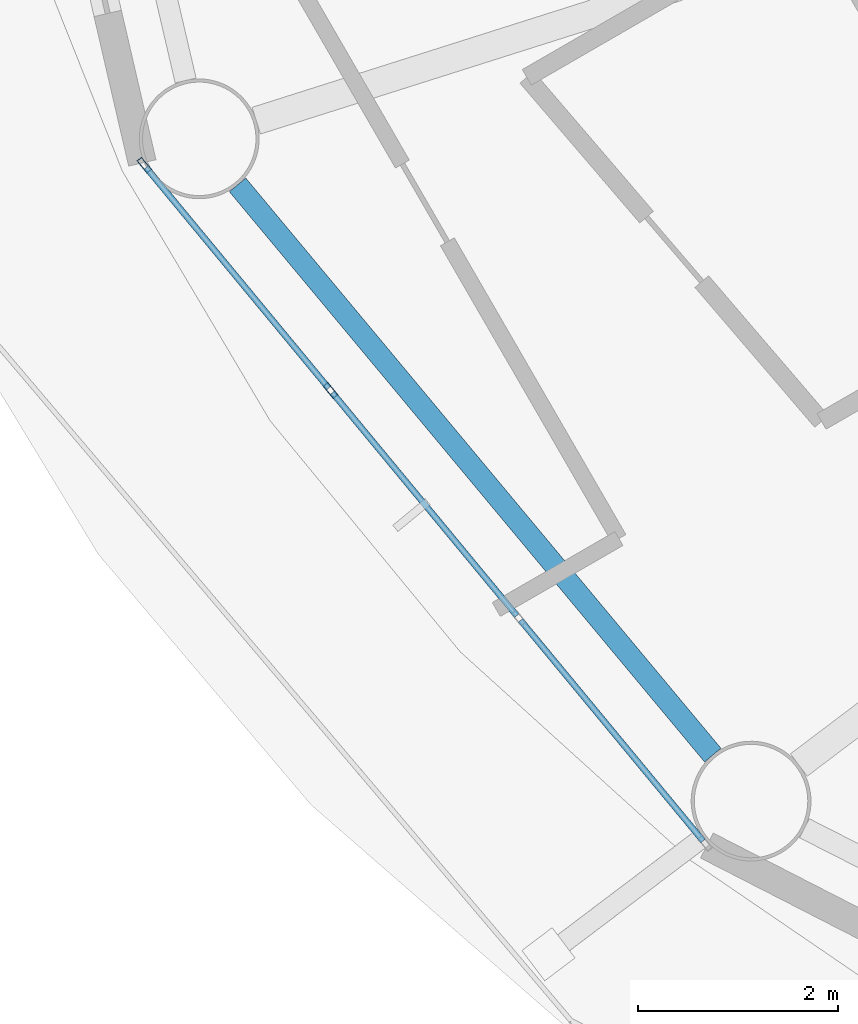
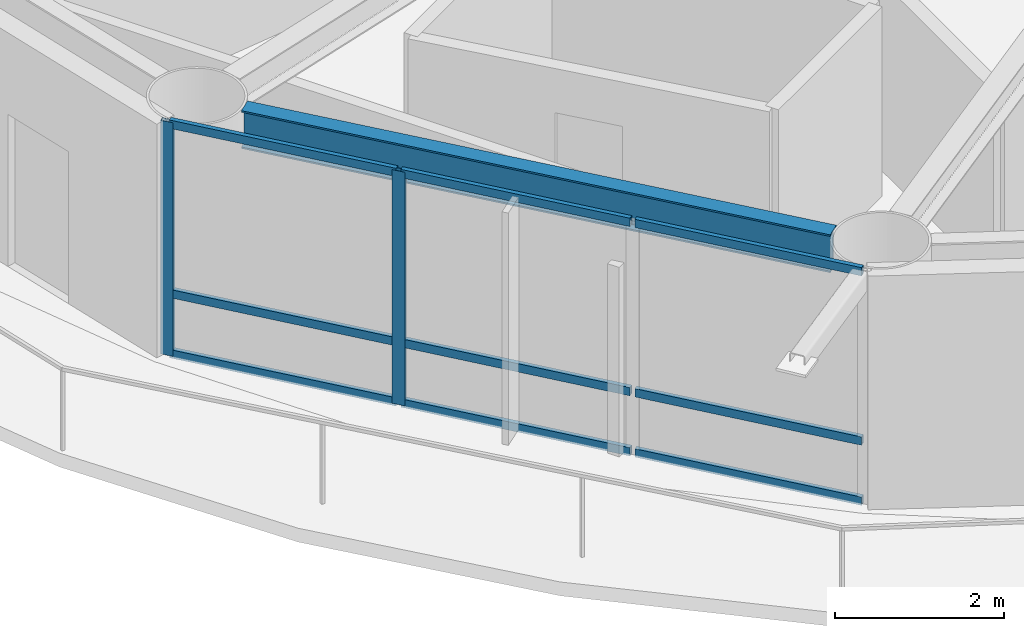
# One storey, part 3 of 28: 11 members, 1 beam, 1 element without a shape of its own.
"""IFC4 building model written with IfcOpenShell, lengths in metres."""

import ifcopenshell
import ifcopenshell.guid

model = None  # the IFC model being written
_history = None  # IfcOwnerHistory: only IFC2X3 demands one
_inside = {}  # id of a spatial element -> (the spatial element, [elements in it])
_under = {}  # id of a project, library or spatial element -> (it, [spatial elements below it])
_declared = {}  # id of a project -> (the project, [libraries it declares])
_typed = {}  # id of a type object -> (the type object, [elements of that type])
_made_of = {}  # id of a material, layer set ... -> (it, [elements and type objects made of it])


def new_model(schema):
    """Start an empty IFC model of exactly this schema.

    Asked for "IFC4X3", IfcOpenShell would pick the latest addendum, in which some entities
    have other attributes; the version numbers below select the first issue.
    IFC2X3 requires an IfcOwnerHistory on every rooted entity: one is made here for all.
    """
    global model, _history
    if schema == "IFC4X3":
        model = ifcopenshell.file(schema_version=(4, 3, 0, 0))
    else:
        model = ifcopenshell.file(schema=schema)
    _inside.clear()
    _under.clear()
    _declared.clear()
    _typed.clear()
    _made_of.clear()
    _history = None
    if model.schema == "IFC2X3":
        org = make("IfcOrganization", Name="unknown")
        user = make(
            "IfcPersonAndOrganization",
            ThePerson=make("IfcPerson", FamilyName="unknown"),
            TheOrganization=org,
        )
        app = make(
            "IfcApplication",
            ApplicationDeveloper=org,
            Version="unknown",
            ApplicationFullName="unknown",
            ApplicationIdentifier="unknown",
        )
        _history = make(
            "IfcOwnerHistory",
            OwningUser=user,
            OwningApplication=app,
            ChangeAction="ADDED",
            CreationDate=0,
        )
    return model


def make(cls, **values):
    """One entity of the class cls with the attributes given. An attribute that is None is left unset."""
    return model.create_entity(
        cls, **{name: value for name, value in values.items() if value is not None}
    )


def rooted(cls, **values):
    """An entity with a GlobalId (a new one), such as an element, a storey or a relation."""
    return make(cls, GlobalId=ifcopenshell.guid.new(), OwnerHistory=_history, **values)


def si_unit(unit_type, name, prefix=None):
    """IfcSIUnit, for example si_unit("LENGTHUNIT", "METRE", prefix="MILLI")."""
    return make("IfcSIUnit", UnitType=unit_type, Prefix=prefix, Name=name)


def assignment(units):
    """IfcUnitAssignment: the units of a project."""
    return None if units is None else make("IfcUnitAssignment", Units=units)


def point(xyz):
    """IfcCartesianPoint."""
    return None if xyz is None else make("IfcCartesianPoint", Coordinates=xyz)


def direction(xyz):
    """IfcDirection."""
    return None if xyz is None else make("IfcDirection", DirectionRatios=xyz)


def frame(location, z_axis=None, x_axis=None):
    """IfcAxis2Placement3D, a coordinate frame: its origin and axes. An axis left out is left unset."""
    return make(
        "IfcAxis2Placement3D",
        Location=point(location),
        Axis=direction(z_axis),
        RefDirection=direction(x_axis),
    )


def frame_2d(location, x_axis=None):
    """IfcAxis2Placement2D, a coordinate frame in the plane: its origin and x axis."""
    return make(
        "IfcAxis2Placement2D", Location=point(location), RefDirection=direction(x_axis)
    )


def origin():
    """The frame at (0, 0, 0) with its axes left unset."""
    return frame((0.0, 0.0, 0.0))


def origin_2d():
    """The frame at (0, 0) in the plane with its x axis left unset."""
    return frame_2d((0.0, 0.0))


def place(relative_to, where):
    """IfcLocalPlacement: puts the frame where relative to a parent placement (None: the world)."""
    return make(
        "IfcLocalPlacement", PlacementRelTo=relative_to, RelativePlacement=where
    )


def context(
    kind, dimensions, precision=None, world=None, true_north=None, identifier=None
):
    """IfcGeometricRepresentationContext, for example the 3D "Model" context."""
    return make(
        "IfcGeometricRepresentationContext",
        ContextIdentifier=identifier,
        ContextType=kind,
        CoordinateSpaceDimension=dimensions,
        Precision=precision,
        WorldCoordinateSystem=world,
        TrueNorth=true_north,
    )


def subcontext(parent, identifier, kind, view, scale=None):
    """IfcGeometricRepresentationSubContext, for example "Body" below "Model"."""
    return make(
        "IfcGeometricRepresentationSubContext",
        ContextIdentifier=identifier,
        ContextType=kind,
        ParentContext=parent,
        TargetScale=scale,
        TargetView=view,
    )


def project(units=None, contexts=None):
    """IfcProject with its units and contexts."""
    return rooted(
        "IfcProject",
        Name="project",
        RepresentationContexts=contexts,
        UnitsInContext=assignment(units),
    )


def spatial(cls, under=None, at=None, **own):
    """A site, building, storey or space (cls), placed at a placement, below another one or the project."""
    s = rooted(cls, ObjectPlacement=at, **own)
    if under is not None:
        _under.setdefault(under.id(), (under, []))[1].append(s)
    return s


def profile(cls, at=None, kind="AREA", **sizes):
    """A parametric profile (cls). Its sizes go by their IFC names, for example OverallWidth=200.0."""
    return make(cls, ProfileType=kind, Position=at, **sizes)


def hollow_rectangle(**sizes):
    """IfcRectangleHollowProfileDef."""
    return profile("IfcRectangleHollowProfileDef", **sizes)


def i_section(**sizes):
    """IfcIShapeProfileDef."""
    return profile("IfcIShapeProfileDef", **sizes)


def extrude(swept, where, along, depth):
    """IfcExtrudedAreaSolid: the profile swept, set in the frame where, extruded along a direction by depth."""
    return make(
        "IfcExtrudedAreaSolid",
        SweptArea=swept,
        Position=where,
        ExtrudedDirection=direction(along),
        Depth=depth,
    )


def shape(context_of_items, identifier, shape_type, items):
    """IfcShapeRepresentation: the items that make up one representation, for example the "Body"."""
    return make(
        "IfcShapeRepresentation",
        ContextOfItems=context_of_items,
        RepresentationIdentifier=identifier,
        RepresentationType=shape_type,
        Items=items,
    )


def material(Name=None, Category=None):
    """IfcMaterial."""
    return make("IfcMaterial", Name=Name, Category=Category)


def layer(
    of_material, thickness, ventilated=None, Name=None, Category=None, Priority=None
):
    """IfcMaterialLayer: one layer of a wall or slab, of a material (None: an air gap)."""
    return make(
        "IfcMaterialLayer",
        Material=of_material,
        LayerThickness=thickness,
        IsVentilated=ventilated,
        Name=Name,
        Category=Category,
        Priority=Priority,
    )


def layer_set(layers, Name=None):
    """IfcMaterialLayerSet."""
    return make("IfcMaterialLayerSet", MaterialLayers=layers, LayerSetName=Name)


def material_profile(
    of_material, cross_section, Name=None, Category=None, Priority=None
):
    """IfcMaterialProfile: a cross section and its material."""
    return make(
        "IfcMaterialProfile",
        Name=Name,
        Material=of_material,
        Profile=cross_section,
        Priority=Priority,
        Category=Category,
    )


def profile_set(profiles, Name=None, composite=None):
    """IfcMaterialProfileSet."""
    return make(
        "IfcMaterialProfileSet",
        Name=Name,
        MaterialProfiles=profiles,
        CompositeProfile=composite,
    )


def made_of(thing, what):
    """Note that an element or type object is made of a material, layer set ...; save() writes the relation."""
    if what is not None:
        _made_of.setdefault(what.id(), (what, []))[1].append(thing)
    return thing


def type_object(cls, material=None, **own):
    """A type object (cls), such as IfcWallType, which elements share."""
    return made_of(rooted(cls, **own), material)


def element(
    cls,
    number,
    at=None,
    inside=None,
    cuts=None,
    type_object=None,
    material=None,
    context=None,
    identifier="Body",
    shape_type=None,
    held_by="IfcProductDefinitionShape",
    body=None,
    shapes=None,
    **own,
):
    """One element of the class cls, such as IfcWall. Its Tag is "e" and its number.

    at: its placement. inside: the storey or other place that contains it. cuts: it is an
    opening in that element (IfcRelVoidsElement). A single representation is given by context,
    identifier, shape_type and body (its items); several are given by shapes. held_by: the class
    of the entity that holds the representations. save() writes the other relations.
    """
    e = rooted(cls, Tag="e%d" % number, ObjectPlacement=at, **own)
    if body is not None:
        shapes = [shape(context, identifier, shape_type, body)]
    if shapes is not None:
        e.Representation = make(held_by, Representations=shapes)
    if inside is not None:
        _inside.setdefault(inside.id(), (inside, []))[1].append(e)
    if cuts is not None:
        rooted(
            "IfcRelVoidsElement", RelatingBuildingElement=cuts, RelatedOpeningElement=e
        )
    if type_object is not None:
        _typed.setdefault(type_object.id(), (type_object, []))[1].append(e)
    return made_of(e, material)


def aggregate(whole, parts):
    """IfcRelAggregates: a whole, such as a stair, and the parts it consists of."""
    return rooted("IfcRelAggregates", RelatingObject=whole, RelatedObjects=parts)


def save(model, path):
    """Write the relations noted so far, then the file.

    IfcRelAggregates (storeys below a building ...), IfcRelContainedInSpatialStructure (elements
    in a storey), IfcRelDefinesByType, IfcRelAssociatesMaterial and IfcRelDeclares: one each for
    every whole, place, type object, material and project.
    """
    for whole, parts in _under.values():
        aggregate(whole, parts)
    for where, things in _inside.values():
        rooted(
            "IfcRelContainedInSpatialStructure",
            RelatedElements=things,
            RelatingStructure=where,
        )
    for kind, things in _typed.values():
        rooted("IfcRelDefinesByType", RelatedObjects=things, RelatingType=kind)
    for what, things in _made_of.values():
        rooted("IfcRelAssociatesMaterial", RelatedObjects=things, RelatingMaterial=what)
    for by, libraries in _declared.values():
        rooted("IfcRelDeclares", RelatingContext=by, RelatedDefinitions=libraries)
    model.write(path)


model = new_model("IFC4")

# Units and contexts
model_context = context("Model", 3, precision=1e-05, world=origin(), true_north=direction((0.0, 1.0)))
body_context = subcontext(model_context, "Body", "Model", "MODEL_VIEW")
ifc_project = project(units=[si_unit("LENGTHUNIT", "METRE"), si_unit("AREAUNIT", "SQUARE_METRE"), si_unit("VOLUMEUNIT", "CUBIC_METRE"), si_unit("PLANEANGLEUNIT", "RADIAN"), si_unit("MASSUNIT", "GRAM", prefix="KILO")], contexts=[model_context])

# Site, building, storey
site_placement = place(None, origin())
site = spatial("IfcSite", under=ifc_project, at=site_placement, CompositionType="ELEMENT")
building_placement = place(site_placement, origin())
building = spatial("IfcBuilding", under=site, at=building_placement, Name="Sarneth Arch Tower", CompositionType="ELEMENT")
storey_placement = place(building_placement, frame((0.0, 0.0, 179.39990234375)))
storey = spatial("IfcBuildingStorey", under=building, at=storey_placement, Name="L45", CompositionType="ELEMENT", Elevation=179.39990234375)

# Beam
ifc_material_1 = material(Name="Steel S355", Category="steel")
ifc_material_profile_1 = material_profile(ifc_material_1, i_section(OverallWidth=0.214111328125, OverallDepth=0.549072265625, WebThickness=0.0146484375, FlangeThickness=0.023681640625, FilletRadius=0.01806640625, at=origin_2d()), Name="W530x138")
ifc_profile_set_1 = profile_set([ifc_material_profile_1], Name="Steel S355")
beam_type = type_object("IfcBeamType", Name="BM-RAD-530A", PredefinedType="BEAM", material=ifc_profile_set_1)
beam_placement = place(storey_placement, frame((23.721923828125, 33.713134765625, 3.105712890625), z_axis=(0.640161793626, -0.768240117399, 0.0), x_axis=(0.768240117399, 0.640161793626, 0.0)))
element("IfcBeam", 1, at=beam_placement, inside=storey, type_object=beam_type, Name="L45 Perimeter spandrel beam 10", PredefinedType="BEAM", context=body_context, shape_type="SweptSolid", body=[
    extrude(i_section(OverallWidth=0.214111328125, OverallDepth=0.549072265625, WebThickness=0.0146484375, FlangeThickness=0.023681640625, FilletRadius=0.01806640625, at=origin_2d()), origin(), (0.0, 0.0, 1.0), 7.43603515625),
])

# Curtain wall, members
ifc_material_2 = material(Name="Anodised aluminium Type AA25 and solar-control low-e laminated IGU", Category="aluminium")
ifc_layer = layer(ifc_material_2, 0.169921875)
ifc_layer_set = layer_set([ifc_layer], Name="Anodised aluminium Type AA25 and solar-control low-e laminated IGU")
curtain_wall_type = type_object("IfcCurtainWallType", Name="CW-RES-MID", PredefinedType="NOTDEFINED", material=ifc_layer_set)
curtain_wall_placement = place(storey_placement, origin())
curtain_wall = element("IfcCurtainWall", 2, at=curtain_wall_placement, inside=storey, type_object=curtain_wall_type, Name="L45 Unitised curtain wall facet 10", PredefinedType="NOTDEFINED")
ifc_material_3 = material(Name="Anodised Aluminium 6063-T6", Category="aluminium")
ifc_material_profile_2 = material_profile(ifc_material_3, hollow_rectangle(XDim=0.06005859375, YDim=0.159912109375, WallThickness=0.00390625, at=origin_2d()), Name="AL-MULL-160x60x4")
ifc_profile_set_2 = profile_set([ifc_material_profile_2], Name="Anodised Aluminium 6063-T6")
member_type_1 = type_object("IfcMemberType", Name="CW-MULLION", PredefinedType="MULLION", material=ifc_profile_set_2)
member_1_placement = place(storey_placement, frame((22.786865234375, 33.909912109375, 0.0), z_axis=(0.0, 0.0, 1.0), x_axis=(0.770590741276, 0.637330298558, 0.0)))
member_1 = element("IfcMember", 3, at=member_1_placement, type_object=member_type_1, Name="CW-SYS-5 mullion 1", PredefinedType="MULLION", context=body_context, shape_type="SweptSolid", body=[
    extrude(hollow_rectangle(XDim=0.06005859375, YDim=0.159912109375, WallThickness=0.00390625, at=origin_2d()), origin(), (0.0, 0.0, 1.0), 3.380126953125),
])
member_2_placement = place(storey_placement, frame((24.653076171875, 31.6533203125, 0.0), z_axis=(0.0, 0.0, 1.0), x_axis=(0.770590741276, 0.637330298558, 0.0)))
member_2 = element("IfcMember", 4, at=member_2_placement, type_object=member_type_1, Name="CW-SYS-5 mullion 2", PredefinedType="MULLION", context=body_context, shape_type="SweptSolid", body=[
    extrude(hollow_rectangle(XDim=0.06005859375, YDim=0.159912109375, WallThickness=0.00390625, at=origin_2d()), origin(), (0.0, 0.0, 1.0), 3.380126953125),
])
ifc_material_4 = material(Name="Anodised Aluminium 6063-T6", Category="aluminium")
ifc_material_profile_3 = material_profile(ifc_material_4, hollow_rectangle(XDim=0.06005859375, YDim=0.1201171875, WallThickness=0.00390625, at=origin_2d()), Name="AL-TRAN-120x60x4")
ifc_profile_set_3 = profile_set([ifc_material_profile_3], Name="Anodised Aluminium 6063-T6")
member_type_2 = type_object("IfcMemberType", Name="CW-TRANSOM", PredefinedType="USERDEFINED", material=ifc_profile_set_3)
member_3_placement = place(storey_placement, frame((22.805908203125, 33.88671875, 0.030029296875), z_axis=(0.637358651504, -0.770567290607, 0.0), x_axis=(0.770567290607, 0.637358651504, 0.0)))
member_3 = element("IfcMember", 5, at=member_3_placement, type_object=member_type_2, Name="CW-SYS-5 transom 1.1", ObjectType="TRANSOM", PredefinedType="USERDEFINED", context=body_context, shape_type="SweptSolid", body=[
    extrude(hollow_rectangle(XDim=0.06005859375, YDim=0.1201171875, WallThickness=0.00390625, at=origin_2d()), origin(), (0.0, 0.0, 1.0), 2.8681640625),
])
member_4_placement = place(storey_placement, frame((22.805908203125, 33.88671875, 0.900146484375), z_axis=(0.637358651504, -0.770567290607, 0.0), x_axis=(0.770567290607, 0.637358651504, 0.0)))
member_4 = element("IfcMember", 6, at=member_4_placement, type_object=member_type_2, Name="CW-SYS-5 transom 1.2", ObjectType="TRANSOM", PredefinedType="USERDEFINED", context=body_context, shape_type="SweptSolid", body=[
    extrude(hollow_rectangle(XDim=0.06005859375, YDim=0.1201171875, WallThickness=0.00390625, at=origin_2d()), origin(), (0.0, 0.0, 1.0), 2.8681640625),
])
member_5_placement = place(storey_placement, frame((22.805908203125, 33.88671875, 3.35009765625), z_axis=(0.637358651504, -0.770567290607, 0.0), x_axis=(0.770567290607, 0.637358651504, 0.0)))
member_5 = element("IfcMember", 7, at=member_5_placement, type_object=member_type_2, Name="CW-SYS-5 transom 1.3", ObjectType="TRANSOM", PredefinedType="USERDEFINED", context=body_context, shape_type="SweptSolid", body=[
    extrude(hollow_rectangle(XDim=0.06005859375, YDim=0.1201171875, WallThickness=0.00390625, at=origin_2d()), origin(), (0.0, 0.0, 1.0), 2.8681640625),
])
member_6_placement = place(storey_placement, frame((24.672119140625, 31.63037109375, 0.030029296875), z_axis=(0.637329777791, -0.770591171985, 0.0), x_axis=(0.770591171985, 0.637329777791, 0.0)))
member_6 = element("IfcMember", 8, at=member_6_placement, type_object=member_type_2, Name="CW-SYS-5 transom 2.1", ObjectType="TRANSOM", PredefinedType="USERDEFINED", context=body_context, shape_type="SweptSolid", body=[
    extrude(hollow_rectangle(XDim=0.06005859375, YDim=0.1201171875, WallThickness=0.00390625, at=origin_2d()), origin(), (0.0, 0.0, 1.0), 2.898193359375),
])
member_7_placement = place(storey_placement, frame((24.672119140625, 31.63037109375, 0.900146484375), z_axis=(0.637329777791, -0.770591171985, 0.0), x_axis=(0.770591171985, 0.637329777791, 0.0)))
member_7 = element("IfcMember", 9, at=member_7_placement, type_object=member_type_2, Name="CW-SYS-5 transom 2.2", ObjectType="TRANSOM", PredefinedType="USERDEFINED", context=body_context, shape_type="SweptSolid", body=[
    extrude(hollow_rectangle(XDim=0.06005859375, YDim=0.1201171875, WallThickness=0.00390625, at=origin_2d()), origin(), (0.0, 0.0, 1.0), 2.898193359375),
])
member_8_placement = place(storey_placement, frame((24.672119140625, 31.63037109375, 3.35009765625), z_axis=(0.637329777791, -0.770591171985, 0.0), x_axis=(0.770591171985, 0.637329777791, 0.0)))
member_8 = element("IfcMember", 10, at=member_8_placement, type_object=member_type_2, Name="CW-SYS-5 transom 2.3", ObjectType="TRANSOM", PredefinedType="USERDEFINED", context=body_context, shape_type="SweptSolid", body=[
    extrude(hollow_rectangle(XDim=0.06005859375, YDim=0.1201171875, WallThickness=0.00390625, at=origin_2d()), origin(), (0.0, 0.0, 1.0), 2.898193359375),
])
member_9_placement = place(storey_placement, frame((26.5576171875, 29.3505859375, 0.030029296875), z_axis=(0.637358651504, -0.770567290607, 0.0), x_axis=(0.770567290607, 0.637358651504, 0.0)))
member_9 = element("IfcMember", 11, at=member_9_placement, type_object=member_type_2, Name="CW-SYS-5 transom 3.1", ObjectType="TRANSOM", PredefinedType="USERDEFINED", context=body_context, shape_type="SweptSolid", body=[
    extrude(hollow_rectangle(XDim=0.06005859375, YDim=0.1201171875, WallThickness=0.00390625, at=origin_2d()), origin(), (0.0, 0.0, 1.0), 2.8681640625),
])
member_10_placement = place(storey_placement, frame((26.5576171875, 29.3505859375, 0.900146484375), z_axis=(0.637358651504, -0.770567290607, 0.0), x_axis=(0.770567290607, 0.637358651504, 0.0)))
member_10 = element("IfcMember", 12, at=member_10_placement, type_object=member_type_2, Name="CW-SYS-5 transom 3.2", ObjectType="TRANSOM", PredefinedType="USERDEFINED", context=body_context, shape_type="SweptSolid", body=[
    extrude(hollow_rectangle(XDim=0.06005859375, YDim=0.1201171875, WallThickness=0.00390625, at=origin_2d()), origin(), (0.0, 0.0, 1.0), 2.8681640625),
])
member_11_placement = place(storey_placement, frame((26.5576171875, 29.3505859375, 3.35009765625), z_axis=(0.637358651504, -0.770567290607, 0.0), x_axis=(0.770567290607, 0.637358651504, 0.0)))
member_11 = element("IfcMember", 13, at=member_11_placement, type_object=member_type_2, Name="CW-SYS-5 transom 3.3", ObjectType="TRANSOM", PredefinedType="USERDEFINED", context=body_context, shape_type="SweptSolid", body=[
    extrude(hollow_rectangle(XDim=0.06005859375, YDim=0.1201171875, WallThickness=0.00390625, at=origin_2d()), origin(), (0.0, 0.0, 1.0), 2.8681640625),
])
aggregate(curtain_wall, [member_1, member_2, member_3, member_4, member_5, member_6, member_7, member_8, member_9, member_10, member_11])

save(model, "model.ifc")
